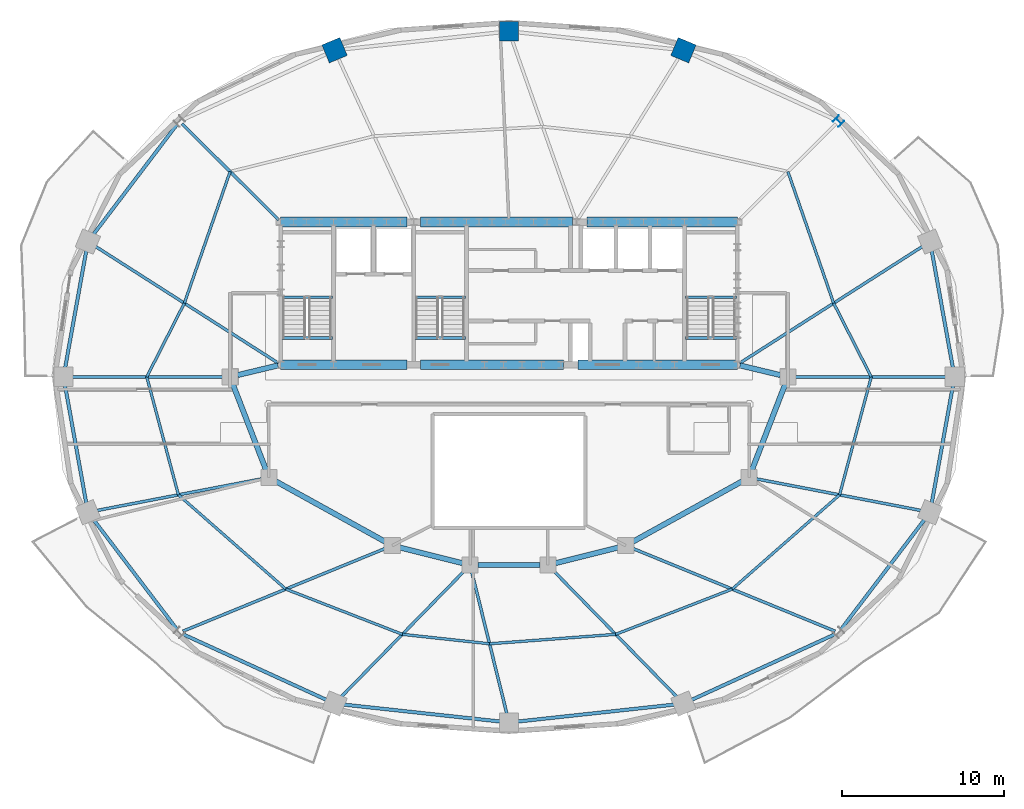
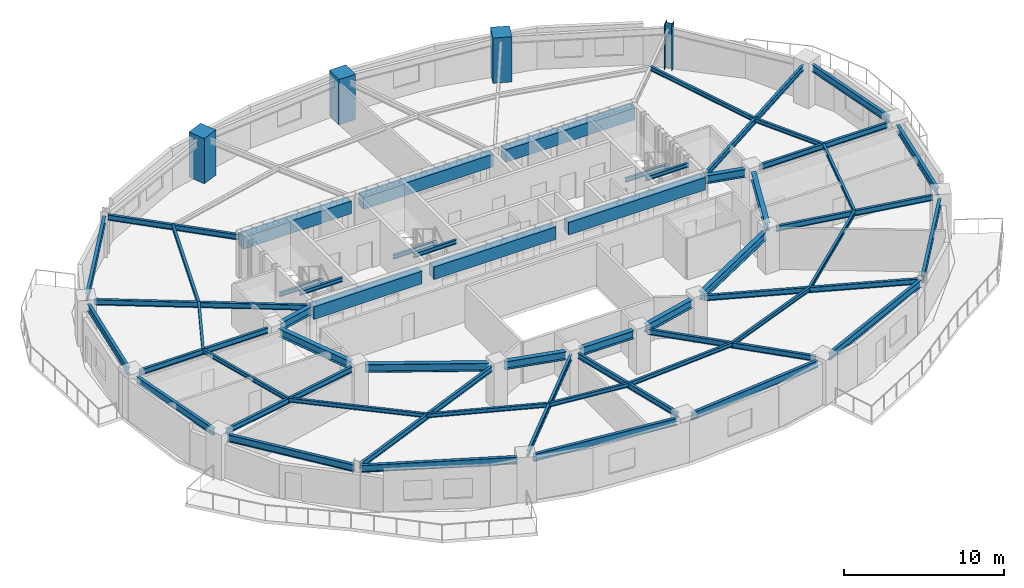
# One storey, part 2 of 11: 56 beams, 4 columns.
"""IFC4 building model written with IfcOpenShell, lengths in metres."""

from ifc_helpers import new_model, si_unit, direction, frame, origin, origin_2d, place, context, subcontext, project, spatial, rectangle, i_section, extrude, material, material_profile, profile_set, type_object, element, save


model = new_model("IFC4")

# Units and contexts
model_context = context("Model", 3, precision=1e-05, world=origin(), true_north=direction((0.0, 1.0)))
body_context = subcontext(model_context, "Body", "Model", "MODEL_VIEW")
ifc_project = project(units=[si_unit("LENGTHUNIT", "METRE"), si_unit("AREAUNIT", "SQUARE_METRE"), si_unit("VOLUMEUNIT", "CUBIC_METRE"), si_unit("PLANEANGLEUNIT", "RADIAN"), si_unit("MASSUNIT", "GRAM", prefix="KILO")], contexts=[model_context])

# Site, building, storey
site_placement = place(None, origin())
site = spatial("IfcSite", under=ifc_project, at=site_placement, CompositionType="ELEMENT")
building_placement = place(site_placement, origin())
building = spatial("IfcBuilding", under=site, at=building_placement, Name="Haldorwick Loom Tower", CompositionType="ELEMENT")
storey_placement = place(building_placement, frame((0.0, 0.0, 218.64990234375)))
storey = spatial("IfcBuildingStorey", under=building, at=storey_placement, Name="L59", CompositionType="ELEMENT", Elevation=218.64990234375)

# Columns
ifc_material_1 = material(Name="Concrete C60 (60 MPa)", Category="concrete")
ifc_material_profile_1 = material_profile(ifc_material_1, rectangle(XDim=1.199951171875, YDim=1.199951171875, at=origin_2d()), Name="RC1200X1200", Category="concrete")
ifc_profile_set_1 = profile_set([ifc_material_profile_1], Name="Concrete C60 (60 MPa)")
column_type_1 = type_object("IfcColumnType", Name="STR-COL-RC1200", PredefinedType="COLUMN", material=ifc_profile_set_1)
for number, where, z_axis, x_axis, name in (
    (1, (46.75341796875, 46.140625, 0.0), (0.0, 0.0, 1.0), (0.382683432365, 0.923879532511, 0.0), "L59 Perimeter Pier Column P04"),
    (2, (36.0, 47.304931640625, 0.0), (0.0, 0.0, 1.0), (0.0, 1.0, 0.0), "L59 Perimeter Pier Column P05"),
    (3, (25.24658203125, 46.140625, 0.0), (0.0, 0.0, 1.0), (-0.382683432365, 0.923879532511, 0.0), "L59 Perimeter Pier Column P06"),
):
    element("IfcColumn", number, at=place(storey_placement, frame(where, z_axis=z_axis, x_axis=x_axis)), inside=storey, type_object=column_type_1, Name=name, PredefinedType="COLUMN", context=body_context, shape_type="SweptSolid", body=[
        extrude(rectangle(XDim=1.199951171875, YDim=1.199951171875, at=origin_2d()), origin(), (0.0, 0.0, 1.0), 3.4501953125),
    ])
ifc_material_2 = material(Name="Steel CSA G40.21 350WT", Category="steel")
ifc_material_profile_2 = material_profile(ifc_material_2, i_section(OverallWidth=0.5, OverallDepth=0.5, WebThickness=0.02197265625, FlangeThickness=0.031982421875, at=origin_2d()), Name="WWF500X500", Category="steel")
ifc_profile_set_2 = profile_set([ifc_material_profile_2], Name="Steel CSA G40.21 350WT")
column_type_2 = type_object("IfcColumnType", Name="STR-COL-WWF500", PredefinedType="COLUMN", material=ifc_profile_set_2)
column_placement = place(storey_placement, frame((56.317626953125, 41.764892578125, 0.0), z_axis=(0.0, 0.0, 1.0), x_axis=(0.707106781187, 0.707106781187, 0.0)))
element("IfcColumn", 4, at=column_placement, inside=storey, type_object=column_type_2, Name="L59 Perimeter Pier Column P03", PredefinedType="COLUMN", context=body_context, shape_type="SweptSolid", body=[
    extrude(i_section(OverallWidth=0.5, OverallDepth=0.5, WebThickness=0.02197265625, FlangeThickness=0.031982421875, at=origin_2d()), origin(), (0.0, 0.0, 1.0), 3.4501953125),
])

# Beams
ifc_material_3 = material(Name="Concrete C50 (50 MPa)", Category="concrete")
ifc_material_profile_3 = material_profile(ifc_material_3, rectangle(XDim=0.60009765625, YDim=0.949951171875, at=origin_2d()), Name="RC600X950", Category="concrete")
ifc_profile_set_3 = profile_set([ifc_material_profile_3], Name="Concrete C50 (50 MPa)")
beam_type_1 = type_object("IfcBeamType", Name="STR-BM-CB950", PredefinedType="LINTEL", material=ifc_profile_set_3)
beam_1_placement = place(storey_placement, frame((21.89990234375, 35.550048828125, 2.675048828125), z_axis=(1.0, 0.0, 0.0), x_axis=(0.0, 1.0, 0.0)))
element("IfcBeam", 5, at=beam_1_placement, inside=storey, type_object=beam_type_1, Name="L59 Core Coupling Beam CB-N1", PredefinedType="LINTEL", context=body_context, shape_type="SweptSolid", body=[
    extrude(rectangle(XDim=0.60009765625, YDim=0.949951171875, at=origin_2d()), origin(), (0.0, 0.0, 1.0), 7.800048828125),
])
beam_2_placement = place(storey_placement, frame((30.550048828125, 35.550048828125, 2.675048828125), z_axis=(1.0, 0.0, 0.0), x_axis=(0.0, 1.0, 0.0)))
element("IfcBeam", 6, at=beam_2_placement, inside=storey, type_object=beam_type_1, Name="L59 Core Coupling Beam CB-N2", PredefinedType="LINTEL", context=body_context, shape_type="SweptSolid", body=[
    extrude(rectangle(XDim=0.60009765625, YDim=0.949951171875, at=origin_2d()), origin(), (0.0, 0.0, 1.0), 9.349853515625),
])
beam_3_placement = place(storey_placement, frame((40.800048828125, 35.550048828125, 2.675048828125), z_axis=(1.0, 0.0, 0.0), x_axis=(0.0, 1.0, 0.0)))
element("IfcBeam", 7, at=beam_3_placement, inside=storey, type_object=beam_type_1, Name="L59 Core Coupling Beam CB-N3", PredefinedType="LINTEL", context=body_context, shape_type="SweptSolid", body=[
    extrude(rectangle(XDim=0.60009765625, YDim=0.949951171875, at=origin_2d()), origin(), (0.0, 0.0, 1.0), 9.300048828125),
])
beam_4_placement = place(storey_placement, frame((21.89990234375, 26.75, 2.675048828125), z_axis=(1.0, 0.0, 0.0), x_axis=(0.0, 1.0, 0.0)))
element("IfcBeam", 8, at=beam_4_placement, inside=storey, type_object=beam_type_1, Name="L59 Core Coupling Beam CB-S1", PredefinedType="LINTEL", context=body_context, shape_type="SweptSolid", body=[
    extrude(rectangle(XDim=0.60009765625, YDim=0.949951171875, at=origin_2d()), origin(), (0.0, 0.0, 1.0), 7.800048828125),
])
beam_5_placement = place(storey_placement, frame((30.550048828125, 26.75, 2.675048828125), z_axis=(1.0, 0.0, 0.0), x_axis=(0.0, 1.0, 0.0)))
element("IfcBeam", 9, at=beam_5_placement, inside=storey, type_object=beam_type_1, Name="L59 Core Coupling Beam CB-S2", PredefinedType="LINTEL", context=body_context, shape_type="SweptSolid", body=[
    extrude(rectangle(XDim=0.60009765625, YDim=0.949951171875, at=origin_2d()), origin(), (0.0, 0.0, 1.0), 8.800048828125),
])
beam_6_placement = place(storey_placement, frame((40.25, 26.75, 2.675048828125), z_axis=(1.0, 0.0, 0.0), x_axis=(0.0, 1.0, 0.0)))
element("IfcBeam", 10, at=beam_6_placement, inside=storey, type_object=beam_type_1, Name="L59 Core Coupling Beam CB-S3", PredefinedType="LINTEL", context=body_context, shape_type="SweptSolid", body=[
    extrude(rectangle(XDim=0.60009765625, YDim=0.949951171875, at=origin_2d()), origin(), (0.0, 0.0, 1.0), 9.85009765625),
])
ifc_material_4 = material(Name="Steel CSA G40.21 350W", Category="steel")
ifc_material_profile_4 = material_profile(ifc_material_4, i_section(OverallWidth=0.166015625, OverallDepth=0.31298828125, WebThickness=0.006591796875, FlangeThickness=0.01123046875, at=origin_2d()), Name="W310X45", Category="steel")
ifc_profile_set_4 = profile_set([ifc_material_profile_4], Name="Steel CSA G40.21 350W")
beam_type_2 = type_object("IfcBeamType", Name="STR-BM-J310", PredefinedType="JOIST", material=ifc_profile_set_4)
beam_7_placement = place(storey_placement, frame((58.333251953125, 26.0, 2.99365234375), z_axis=(-0.454203827517, 0.890897796085, 0.0), x_axis=(-0.890897796085, -0.454203827517, 0.0)))
element("IfcBeam", 11, at=beam_7_placement, inside=storey, type_object=beam_type_2, Name="L59 Mid-Bay Secondary Joist 1", PredefinedType="JOIST", context=body_context, shape_type="SweptSolid", body=[
    extrude(i_section(OverallWidth=0.166015625, OverallDepth=0.31298828125, WebThickness=0.006591796875, FlangeThickness=0.01123046875, at=origin_2d()), origin(), (0.0, 0.0, 1.0), 5.103271484375),
])
for number, where, z_axis, x_axis, name in (
    (12, (56.015380859375, 30.54638671875, 2.99365234375), (-0.328550395803, 0.944486441098, 0.0), (-0.944486441098, -0.328550395803, 0.0), "L59 Mid-Bay Secondary Joist 2"),
    (13, (18.80615234375, 38.657470703125, 2.99365234375), (-0.328550395803, -0.944486441098, 0.0), (0.944486441098, -0.328550395803, 0.0), "L59 Mid-Bay Secondary Joist 7"),
):
    element("IfcBeam", number, at=place(storey_placement, frame(where, z_axis=z_axis, x_axis=x_axis)), inside=storey, type_object=beam_type_2, Name=name, PredefinedType="JOIST", context=body_context, shape_type="SweptSolid", body=[
        extrude(i_section(OverallWidth=0.166015625, OverallDepth=0.31298828125, WebThickness=0.006591796875, FlangeThickness=0.01123046875, at=origin_2d()), origin(), (0.0, 0.0, 1.0), 8.587890625),
    ])
beam_8_placement = place(storey_placement, frame((15.984619140625, 30.54638671875, 2.99365234375), z_axis=(-0.454203827517, -0.890897796085, 0.0), x_axis=(0.890897796085, -0.454203827517, 0.0)))
element("IfcBeam", 14, at=beam_8_placement, inside=storey, type_object=beam_type_2, Name="L59 Mid-Bay Secondary Joist 8", PredefinedType="JOIST", context=body_context, shape_type="SweptSolid", body=[
    extrude(i_section(OverallWidth=0.166015625, OverallDepth=0.31298828125, WebThickness=0.006591796875, FlangeThickness=0.01123046875, at=origin_2d()), origin(), (0.0, 0.0, 1.0), 5.103271484375),
])
beam_9_placement = place(storey_placement, frame((13.666748046875, 26.0, 2.99365234375), z_axis=(0.259353588718, -0.965782437208, 0.0), x_axis=(0.965782437208, 0.259353588718, 0.0)))
element("IfcBeam", 15, at=beam_9_placement, inside=storey, type_object=beam_type_2, Name="L59 Mid-Bay Secondary Joist 9", PredefinedType="JOIST", context=body_context, shape_type="SweptSolid", body=[
    extrude(i_section(OverallWidth=0.166015625, OverallDepth=0.31298828125, WebThickness=0.006591796875, FlangeThickness=0.01123046875, at=origin_2d()), origin(), (0.0, 0.0, 1.0), 7.52880859375),
])
beam_10_placement = place(storey_placement, frame((15.619384765625, 18.728759765625, 2.99365234375), z_axis=(0.751609427289, -0.659608420815, 0.0), x_axis=(0.659608420815, 0.751609427289, 0.0)))
element("IfcBeam", 16, at=beam_10_placement, inside=storey, type_object=beam_type_2, Name="L59 Mid-Bay Secondary Joist 10", PredefinedType="JOIST", context=body_context, shape_type="SweptSolid", body=[
    extrude(i_section(OverallWidth=0.166015625, OverallDepth=0.31298828125, WebThickness=0.006591796875, FlangeThickness=0.01123046875, at=origin_2d()), origin(), (0.0, 0.0, 1.0), 8.810302734375),
])
beam_11_placement = place(storey_placement, frame((22.2412109375, 12.91748046875, 2.99365234375), z_axis=(0.932232852675, -0.36185896202, 0.0), x_axis=(0.36185896202, 0.932232852675, 0.0)))
element("IfcBeam", 17, at=beam_11_placement, inside=storey, type_object=beam_type_2, Name="L59 Mid-Bay Secondary Joist 11", PredefinedType="JOIST", context=body_context, shape_type="SweptSolid", body=[
    extrude(i_section(OverallWidth=0.166015625, OverallDepth=0.31298828125, WebThickness=0.006591796875, FlangeThickness=0.01123046875, at=origin_2d()), origin(), (0.0, 0.0, 1.0), 7.7041015625),
])
beam_12_placement = place(storey_placement, frame((29.42333984375, 10.129638671875, 2.99365234375), z_axis=(0.994191913888, -0.107621737398, 0.0), x_axis=(0.107621737398, 0.994191913888, 0.0)))
element("IfcBeam", 18, at=beam_12_placement, inside=storey, type_object=beam_type_2, Name="L59 Mid-Bay Secondary Joist 12", PredefinedType="JOIST", context=body_context, shape_type="SweptSolid", body=[
    extrude(i_section(OverallWidth=0.166015625, OverallDepth=0.31298828125, WebThickness=0.006591796875, FlangeThickness=0.01123046875, at=origin_2d()), origin(), (0.0, 0.0, 1.0), 5.408203125),
])
beam_13_placement = place(storey_placement, frame((34.800048828125, 9.547607421875, 2.99365234375), z_axis=(0.997210913817, 0.074635067923, 0.0), x_axis=(-0.074635067923, 0.997210913817, 0.0)))
element("IfcBeam", 19, at=beam_13_placement, inside=storey, type_object=beam_type_2, Name="L59 Mid-Bay Secondary Joist 13", PredefinedType="JOIST", context=body_context, shape_type="SweptSolid", body=[
    extrude(i_section(OverallWidth=0.166015625, OverallDepth=0.31298828125, WebThickness=0.006591796875, FlangeThickness=0.01123046875, at=origin_2d()), origin(), (0.0, 0.0, 1.0), 7.79833984375),
])
beam_14_placement = place(storey_placement, frame((42.57666015625, 10.129638671875, 2.99365234375), z_axis=(0.932232852675, 0.36185896202, 0.0), x_axis=(-0.36185896202, 0.932232852675, 0.0)))
element("IfcBeam", 20, at=beam_14_placement, inside=storey, type_object=beam_type_2, Name="L59 Mid-Bay Secondary Joist 14", PredefinedType="JOIST", context=body_context, shape_type="SweptSolid", body=[
    extrude(i_section(OverallWidth=0.166015625, OverallDepth=0.31298828125, WebThickness=0.006591796875, FlangeThickness=0.01123046875, at=origin_2d()), origin(), (0.0, 0.0, 1.0), 7.7041015625),
])
beam_15_placement = place(storey_placement, frame((49.7587890625, 12.91748046875, 2.99365234375), z_axis=(0.751609427289, 0.659608420815, 0.0), x_axis=(-0.659608420815, 0.751609427289, 0.0)))
element("IfcBeam", 21, at=beam_15_placement, inside=storey, type_object=beam_type_2, Name="L59 Mid-Bay Secondary Joist 15", PredefinedType="JOIST", context=body_context, shape_type="SweptSolid", body=[
    extrude(i_section(OverallWidth=0.166015625, OverallDepth=0.31298828125, WebThickness=0.006591796875, FlangeThickness=0.01123046875, at=origin_2d()), origin(), (0.0, 0.0, 1.0), 8.810302734375),
])
beam_16_placement = place(storey_placement, frame((56.380615234375, 18.728759765625, 2.99365234375), z_axis=(0.259353588718, 0.965782437208, 0.0), x_axis=(-0.965782437208, 0.259353588718, 0.0)))
element("IfcBeam", 22, at=beam_16_placement, inside=storey, type_object=beam_type_2, Name="L59 Mid-Bay Secondary Joist 16", PredefinedType="JOIST", context=body_context, shape_type="SweptSolid", body=[
    extrude(i_section(OverallWidth=0.166015625, OverallDepth=0.31298828125, WebThickness=0.006591796875, FlangeThickness=0.01123046875, at=origin_2d()), origin(), (0.0, 0.0, 1.0), 7.52880859375),
])
ifc_material_profile_5 = material_profile(ifc_material_4, i_section(OverallWidth=0.179931640625, OverallDepth=0.4130859375, WebThickness=0.009765625, FlangeThickness=0.01611328125, at=origin_2d()), Name="W410X74", Category="steel")
ifc_profile_set_5 = profile_set([ifc_material_profile_5], Name="Steel CSA G40.21 350W")
beam_type_3 = type_object("IfcBeamType", Name="STR-BM-J410", PredefinedType="JOIST", material=ifc_profile_set_5)
beam_17_placement = place(storey_placement, frame((53.675048828125, 26.0, 2.943603515625), z_axis=(1.0, 0.0, 0.0), x_axis=(0.0, 1.0, 0.0)))
element("IfcBeam", 23, at=beam_17_placement, inside=storey, type_object=beam_type_3, Name="L59 Radial Floor Girder 1", PredefinedType="JOIST", context=body_context, shape_type="SweptSolid", body=[
    extrude(i_section(OverallWidth=0.179931640625, OverallDepth=0.4130859375, WebThickness=0.009765625, FlangeThickness=0.01611328125, at=origin_2d()), origin(), (0.0, 0.0, 1.0), 9.271240234375),
])
beam_18_placement = place(storey_placement, frame((50.219970703125, 26.845703125, 2.943603515625), z_axis=(0.842836647066, 0.538169477361, 0.0), x_axis=(-0.538169477361, 0.842836647066, 0.0)))
element("IfcBeam", 24, at=beam_18_placement, inside=storey, type_object=beam_type_3, Name="L59 Radial Floor Girder 2", PredefinedType="JOIST", context=body_context, shape_type="SweptSolid", body=[
    extrude(i_section(OverallWidth=0.179931640625, OverallDepth=0.4130859375, WebThickness=0.009765625, FlangeThickness=0.01611328125, at=origin_2d()), origin(), (0.0, 0.0, 1.0), 13.410400390625),
])
beam_19_placement = place(storey_placement, frame((21.8037109375, 35.675537109375, 2.943603515625), z_axis=(-0.708962390492, 0.70524628951, 0.0), x_axis=(-0.70524628951, -0.708962390492, 0.0)))
element("IfcBeam", 25, at=beam_19_placement, inside=storey, type_object=beam_type_3, Name="L59 Radial Floor Girder 7", PredefinedType="JOIST", context=body_context, shape_type="SweptSolid", body=[
    extrude(i_section(OverallWidth=0.179931640625, OverallDepth=0.4130859375, WebThickness=0.009765625, FlangeThickness=0.01611328125, at=origin_2d()), origin(), (0.0, 0.0, 1.0), 8.409423828125),
])
beam_20_placement = place(storey_placement, frame((21.780029296875, 26.845703125, 2.943603515625), z_axis=(-0.842836647066, 0.538169477361, 0.0), x_axis=(-0.538169477361, -0.842836647066, 0.0)))
element("IfcBeam", 26, at=beam_20_placement, inside=storey, type_object=beam_type_3, Name="L59 Radial Floor Girder 8", PredefinedType="JOIST", context=body_context, shape_type="SweptSolid", body=[
    extrude(i_section(OverallWidth=0.179931640625, OverallDepth=0.4130859375, WebThickness=0.009765625, FlangeThickness=0.01611328125, at=origin_2d()), origin(), (0.0, 0.0, 1.0), 13.410400390625),
])
beam_21_placement = place(storey_placement, frame((18.324951171875, 26.0, 2.943603515625), z_axis=(-1.0, 0.0, 0.0), x_axis=(0.0, -1.0, 0.0)))
element("IfcBeam", 27, at=beam_21_placement, inside=storey, type_object=beam_type_3, Name="L59 Radial Floor Girder 9", PredefinedType="JOIST", context=body_context, shape_type="SweptSolid", body=[
    extrude(i_section(OverallWidth=0.179931640625, OverallDepth=0.4130859375, WebThickness=0.009765625, FlangeThickness=0.01611328125, at=origin_2d()), origin(), (0.0, 0.0, 1.0), 9.271240234375),
])
beam_22_placement = place(storey_placement, frame((20.7333984375, 19.71044921875, 2.943603515625), z_axis=(-0.982069869785, -0.188517295919, 0.0), x_axis=(0.188517295919, -0.982069869785, 0.0)))
element("IfcBeam", 28, at=beam_22_placement, inside=storey, type_object=beam_type_3, Name="L59 Radial Floor Girder 10", PredefinedType="JOIST", context=body_context, shape_type="SweptSolid", body=[
    extrude(i_section(OverallWidth=0.179931640625, OverallDepth=0.4130859375, WebThickness=0.009765625, FlangeThickness=0.01611328125, at=origin_2d()), origin(), (0.0, 0.0, 1.0), 10.36962890625),
])
beam_23_placement = place(storey_placement, frame((28.3603515625, 15.420166015625, 2.943603515625), z_axis=(-0.925583323606, -0.378543935445, 0.0), x_axis=(0.378543935445, -0.925583323606, 0.0)))
element("IfcBeam", 29, at=beam_23_placement, inside=storey, type_object=beam_type_3, Name="L59 Radial Floor Girder 11", PredefinedType="JOIST", context=body_context, shape_type="SweptSolid", body=[
    extrude(i_section(OverallWidth=0.179931640625, OverallDepth=0.4130859375, WebThickness=0.009765625, FlangeThickness=0.01611328125, at=origin_2d()), origin(), (0.0, 0.0, 1.0), 13.47216796875),
])
beam_24_placement = place(storey_placement, frame((33.267822265625, 14.060302734375, 2.943603515625), z_axis=(-0.699238682239, -0.714888288658, 0.0), x_axis=(0.714888288658, -0.699238682239, 0.0)))
element("IfcBeam", 30, at=beam_24_placement, inside=storey, type_object=beam_type_3, Name="L59 Radial Floor Girder 12", PredefinedType="JOIST", context=body_context, shape_type="SweptSolid", body=[
    extrude(i_section(OverallWidth=0.179931640625, OverallDepth=0.4130859375, WebThickness=0.009765625, FlangeThickness=0.01611328125, at=origin_2d()), origin(), (0.0, 0.0, 1.0), 10.951416015625),
])
beam_25_placement = place(storey_placement, frame((33.714111328125, 13.93896484375, 2.943603515625), z_axis=(0.240059013303, -0.970758296453, 0.0), x_axis=(0.970758296453, 0.240059013303, 0.0)))
element("IfcBeam", 31, at=beam_25_placement, inside=storey, type_object=beam_type_3, Name="L59 Radial Floor Girder 13", PredefinedType="JOIST", context=body_context, shape_type="SweptSolid", body=[
    extrude(i_section(OverallWidth=0.179931640625, OverallDepth=0.4130859375, WebThickness=0.009765625, FlangeThickness=0.01611328125, at=origin_2d()), origin(), (0.0, 0.0, 1.0), 9.00244140625),
])
beam_26_placement = place(storey_placement, frame((38.732177734375, 14.060302734375, 2.943603515625), z_axis=(0.699238682239, -0.714888288658, 0.0), x_axis=(0.714888288658, 0.699238682239, 0.0)))
element("IfcBeam", 32, at=beam_26_placement, inside=storey, type_object=beam_type_3, Name="L59 Radial Floor Girder 14", PredefinedType="JOIST", context=body_context, shape_type="SweptSolid", body=[
    extrude(i_section(OverallWidth=0.179931640625, OverallDepth=0.4130859375, WebThickness=0.009765625, FlangeThickness=0.01611328125, at=origin_2d()), origin(), (0.0, 0.0, 1.0), 10.951416015625),
])
beam_27_placement = place(storey_placement, frame((43.6396484375, 15.420166015625, 2.943603515625), z_axis=(0.925583323606, -0.378543935445, 0.0), x_axis=(0.378543935445, 0.925583323606, 0.0)))
element("IfcBeam", 33, at=beam_27_placement, inside=storey, type_object=beam_type_3, Name="L59 Radial Floor Girder 15", PredefinedType="JOIST", context=body_context, shape_type="SweptSolid", body=[
    extrude(i_section(OverallWidth=0.179931640625, OverallDepth=0.4130859375, WebThickness=0.009765625, FlangeThickness=0.01611328125, at=origin_2d()), origin(), (0.0, 0.0, 1.0), 13.47216796875),
])
beam_28_placement = place(storey_placement, frame((51.2666015625, 19.71044921875, 2.943603515625), z_axis=(0.982069869785, -0.188517295919, 0.0), x_axis=(0.188517295919, 0.982069869785, 0.0)))
element("IfcBeam", 34, at=beam_28_placement, inside=storey, type_object=beam_type_3, Name="L59 Radial Floor Girder 16", PredefinedType="JOIST", context=body_context, shape_type="SweptSolid", body=[
    extrude(i_section(OverallWidth=0.179931640625, OverallDepth=0.4130859375, WebThickness=0.009765625, FlangeThickness=0.01611328125, at=origin_2d()), origin(), (0.0, 0.0, 1.0), 10.36962890625),
])
ifc_material_profile_6 = material_profile(ifc_material_4, i_section(OverallWidth=0.2119140625, OverallDepth=0.5439453125, WebThickness=0.01318359375, FlangeThickness=0.021240234375, at=origin_2d()), Name="W530X123", Category="steel")
ifc_profile_set_6 = profile_set([ifc_material_profile_6], Name="Steel CSA G40.21 350W")
beam_type_4 = type_object("IfcBeamType", Name="STR-BM-SP530", PredefinedType="SPANDREL", material=ifc_profile_set_6)
beam_29_placement = place(storey_placement, frame((63.3740234375, 26.51171875, 2.878173828125), z_axis=(-0.1775911332, 0.984104359003, 0.0), x_axis=(-0.984104359003, -0.1775911332, 0.0)))
element("IfcBeam", 35, at=beam_29_placement, inside=storey, type_object=beam_type_4, Name="L59 Perimeter Spandrel 1", PredefinedType="SPANDREL", context=body_context, shape_type="SweptSolid", body=[
    extrude(i_section(OverallWidth=0.2119140625, OverallDepth=0.5439453125, WebThickness=0.01318359375, FlangeThickness=0.021240234375, at=origin_2d()), origin(), (0.0, 0.0, 1.0), 7.437255859375),
])
beam_30_placement = place(storey_placement, frame((15.546142578125, 41.585693359375, 2.878173828125), z_axis=(-0.605236944797, -0.796045376001, 0.0), x_axis=(0.796045376001, -0.605236944797, 0.0)))
element("IfcBeam", 36, at=beam_30_placement, inside=storey, type_object=beam_type_4, Name="L59 Perimeter Spandrel 7", PredefinedType="SPANDREL", context=body_context, shape_type="SweptSolid", body=[
    extrude(i_section(OverallWidth=0.2119140625, OverallDepth=0.5439453125, WebThickness=0.01318359375, FlangeThickness=0.021240234375, at=origin_2d()), origin(), (0.0, 0.0, 1.0), 8.5791015625),
])
for number, where, z_axis, x_axis, name in (
    (37, (9.94677734375, 33.830810546875, 2.878173828125), (-0.1775911332, -0.984104359003, 0.0), (0.984104359003, -0.1775911332, 0.0), "L59 Perimeter Spandrel 8"),
    (38, (8.6259765625, 25.48828125, 2.878173828125), (0.1775911332, -0.984104359003, 0.0), (0.984104359003, 0.1775911332, 0.0), "L59 Perimeter Spandrel 9"),
):
    element("IfcBeam", number, at=place(storey_placement, frame(where, z_axis=z_axis, x_axis=x_axis)), inside=storey, type_object=beam_type_4, Name=name, PredefinedType="SPANDREL", context=body_context, shape_type="SweptSolid", body=[
        extrude(i_section(OverallWidth=0.2119140625, OverallDepth=0.5439453125, WebThickness=0.01318359375, FlangeThickness=0.021240234375, at=origin_2d()), origin(), (0.0, 0.0, 1.0), 7.437255859375),
    ])
beam_31_placement = place(storey_placement, frame((10.353759765625, 17.24365234375, 2.878173828125), z_axis=(0.605236944797, -0.796045376001, 0.0), x_axis=(0.796045376001, 0.605236944797, 0.0)))
element("IfcBeam", 39, at=beam_31_placement, inside=storey, type_object=beam_type_4, Name="L59 Perimeter Spandrel 10", PredefinedType="SPANDREL", context=body_context, shape_type="SweptSolid", body=[
    extrude(i_section(OverallWidth=0.2119140625, OverallDepth=0.5439453125, WebThickness=0.01318359375, FlangeThickness=0.021240234375, at=origin_2d()), origin(), (0.0, 0.0, 1.0), 8.5791015625),
])
beam_32_placement = place(storey_placement, frame((15.886962890625, 10.1416015625, 2.878173828125), z_axis=(0.909342182232, -0.416049030299, 0.0), x_axis=(0.416049030299, 0.909342182232, 0.0)))
element("IfcBeam", 40, at=beam_32_placement, inside=storey, type_object=beam_type_4, Name="L59 Perimeter Spandrel 11", PredefinedType="SPANDREL", context=body_context, shape_type="SweptSolid", body=[
    extrude(i_section(OverallWidth=0.2119140625, OverallDepth=0.5439453125, WebThickness=0.01318359375, FlangeThickness=0.021240234375, at=origin_2d()), origin(), (0.0, 0.0, 1.0), 9.772705078125),
])
for number, where, z_axis, x_axis, name in (
    (41, (25.763671875, 5.803466796875, 2.878173828125), (0.994187774205, -0.107659972233, 0.0), (0.107659972233, 0.994187774205, 0.0), "L59 Perimeter Spandrel 12"),
    (42, (36.51708984375, 4.7509765625, 2.878173828125), (0.994187774205, 0.107659972233, 0.0), (-0.107659972233, 0.994187774205, 0.0), "L59 Perimeter Spandrel 13"),
):
    element("IfcBeam", number, at=place(storey_placement, frame(where, z_axis=z_axis, x_axis=x_axis)), inside=storey, type_object=beam_type_4, Name=name, PredefinedType="SPANDREL", context=body_context, shape_type="SweptSolid", body=[
        extrude(i_section(OverallWidth=0.2119140625, OverallDepth=0.5439453125, WebThickness=0.01318359375, FlangeThickness=0.021240234375, at=origin_2d()), origin(), (0.0, 0.0, 1.0), 9.776123046875),
    ])
beam_33_placement = place(storey_placement, frame((47.226318359375, 6.07568359375, 2.878173828125), z_axis=(0.909342182232, 0.416049030299, 0.0), x_axis=(-0.416049030299, 0.909342182232, 0.0)))
element("IfcBeam", 43, at=beam_33_placement, inside=storey, type_object=beam_type_4, Name="L59 Perimeter Spandrel 14", PredefinedType="SPANDREL", context=body_context, shape_type="SweptSolid", body=[
    extrude(i_section(OverallWidth=0.2119140625, OverallDepth=0.5439453125, WebThickness=0.01318359375, FlangeThickness=0.021240234375, at=origin_2d()), origin(), (0.0, 0.0, 1.0), 9.772705078125),
])
beam_34_placement = place(storey_placement, frame((56.453857421875, 10.414306640625, 2.878173828125), z_axis=(0.605236944797, 0.796045376001, 0.0), x_axis=(-0.796045376001, 0.605236944797, 0.0)))
element("IfcBeam", 44, at=beam_34_placement, inside=storey, type_object=beam_type_4, Name="L59 Perimeter Spandrel 15", PredefinedType="SPANDREL", context=body_context, shape_type="SweptSolid", body=[
    extrude(i_section(OverallWidth=0.2119140625, OverallDepth=0.5439453125, WebThickness=0.01318359375, FlangeThickness=0.021240234375, at=origin_2d()), origin(), (0.0, 0.0, 1.0), 8.5791015625),
])
beam_35_placement = place(storey_placement, frame((62.05322265625, 18.169189453125, 2.878173828125), z_axis=(0.1775911332, 0.984104359003, 0.0), x_axis=(-0.984104359003, 0.1775911332, 0.0)))
element("IfcBeam", 45, at=beam_35_placement, inside=storey, type_object=beam_type_4, Name="L59 Perimeter Spandrel 16", PredefinedType="SPANDREL", context=body_context, shape_type="SweptSolid", body=[
    extrude(i_section(OverallWidth=0.2119140625, OverallDepth=0.5439453125, WebThickness=0.01318359375, FlangeThickness=0.021240234375, at=origin_2d()), origin(), (0.0, 0.0, 1.0), 7.437255859375),
])
ifc_material_profile_7 = material_profile(ifc_material_4, i_section(OverallWidth=0.166015625, OverallDepth=0.31298828125, WebThickness=0.006591796875, FlangeThickness=0.01123046875, at=origin_2d()), Name="W310X45", Category="steel")
ifc_profile_set_7 = profile_set([ifc_material_profile_7], Name="Steel CSA G40.21 350W")
beam_type_5 = type_object("IfcBeamType", Name="STR-BM-STRM", PredefinedType="BEAM", material=ifc_profile_set_7)
for number, where, z_axis, x_axis, name in (
    (46, (21.989990234375, 28.39990234375, 2.99365234375), (1.0, 0.0, 0.0), (0.0, 1.0, 0.0), "L59 Stair ST-01 Landing Edge Trimmer"),
    (47, (21.989990234375, 30.919921875, 1.36865234375), (1.0, 0.0, 0.0), (0.0, 1.0, 0.0), "L59 Stair ST-01 Half-Landing Trimmer 1"),
    (48, (46.889892578125, 28.39990234375, 2.99365234375), (1.0, 0.0, 0.0), (0.0, 1.0, 0.0), "L59 Stair ST-02 Landing Edge Trimmer"),
    (49, (46.889892578125, 30.919921875, 1.36865234375), (1.0, 0.0, 0.0), (0.0, 1.0, 0.0), "L59 Stair ST-02 Half-Landing Trimmer 1"),
    (50, (30.18994140625, 28.39990234375, 2.99365234375), (1.0, 0.0, 0.0), (0.0, 1.0, 0.0), "L59 Stair ST-03 Landing Edge Trimmer"),
    (51, (30.18994140625, 30.919921875, 1.36865234375), (1.0, 0.0, 0.0), (0.0, 1.0, 0.0), "L59 Stair ST-03 Half-Landing Trimmer 1"),
):
    element("IfcBeam", number, at=place(storey_placement, frame(where, z_axis=z_axis, x_axis=x_axis)), inside=storey, type_object=beam_type_5, Name=name, PredefinedType="BEAM", context=body_context, shape_type="SweptSolid", body=[
        extrude(i_section(OverallWidth=0.166015625, OverallDepth=0.31298828125, WebThickness=0.006591796875, FlangeThickness=0.01123046875, at=origin_2d()), origin(), (0.0, 0.0, 1.0), 3.1201171875),
    ])
ifc_material_profile_8 = material_profile(ifc_material_4, i_section(OverallWidth=0.324951171875, OverallDepth=0.615966796875, WebThickness=0.013916015625, FlangeThickness=0.021484375, at=origin_2d()), Name="W610X174", Category="steel")
ifc_profile_set_8 = profile_set([ifc_material_profile_8], Name="Steel CSA G40.21 350W")
beam_type_6 = type_object("IfcBeamType", Name="STR-BM-W610A", PredefinedType="BEAM", material=ifc_profile_set_8)
beam_36_placement = place(storey_placement, frame((50.2431640625, 26.70849609375, 2.842041015625), z_axis=(0.972464127734, -0.233052612665, 0.0), x_axis=(0.233052612665, 0.972464127734, 0.0)))
element("IfcBeam", 52, at=beam_36_placement, inside=storey, type_object=beam_type_6, Name="L59 Inner Ring Girder 1", PredefinedType="BEAM", context=body_context, shape_type="SweptSolid", body=[
    extrude(i_section(OverallWidth=0.324951171875, OverallDepth=0.615966796875, WebThickness=0.013916015625, FlangeThickness=0.021484375, at=origin_2d()), origin(), (0.0, 0.0, 1.0), 2.5654296875),
])
beam_37_placement = place(storey_placement, frame((53.028564453125, 25.556884765625, 2.842041015625), z_axis=(-0.36101093026, -0.93256158415, 0.0), x_axis=(0.93256158415, -0.36101093026, 0.0)))
element("IfcBeam", 53, at=beam_37_placement, inside=storey, type_object=beam_type_6, Name="L59 Inner Ring Girder 2", PredefinedType="BEAM", context=body_context, shape_type="SweptSolid", body=[
    extrude(i_section(OverallWidth=0.324951171875, OverallDepth=0.615966796875, WebThickness=0.013916015625, FlangeThickness=0.021484375, at=origin_2d()), origin(), (0.0, 0.0, 1.0), 5.6982421875),
])
beam_38_placement = place(storey_placement, frame((50.38427734375, 19.5703125, 2.842041015625), z_axis=(-0.875243645673, -0.483682293152, 0.0), x_axis=(0.483682293152, -0.875243645673, 0.0)))
element("IfcBeam", 54, at=beam_38_placement, inside=storey, type_object=beam_type_6, Name="L59 Inner Ring Girder 3", PredefinedType="BEAM", context=body_context, shape_type="SweptSolid", body=[
    extrude(i_section(OverallWidth=0.324951171875, OverallDepth=0.615966796875, WebThickness=0.013916015625, FlangeThickness=0.021484375, at=origin_2d()), origin(), (0.0, 0.0, 1.0), 7.7333984375),
])
beam_39_placement = place(storey_placement, frame((42.7392578125, 15.48486328125, 2.842041015625), z_axis=(-0.970135315182, -0.242564363081, 0.0), x_axis=(0.242564363081, -0.970135315182, 0.0)))
element("IfcBeam", 55, at=beam_39_placement, inside=storey, type_object=beam_type_6, Name="L59 Inner Ring Girder 4", PredefinedType="BEAM", context=body_context, shape_type="SweptSolid", body=[
    extrude(i_section(OverallWidth=0.324951171875, OverallDepth=0.615966796875, WebThickness=0.013916015625, FlangeThickness=0.021484375, at=origin_2d()), origin(), (0.0, 0.0, 1.0), 3.997802734375),
])
beam_40_placement = place(storey_placement, frame((37.925048828125, 14.39990234375, 2.842041015625), z_axis=(-1.0, 0.0, 0.0), x_axis=(0.0, -1.0, 0.0)))
element("IfcBeam", 56, at=beam_40_placement, inside=storey, type_object=beam_type_6, Name="L59 Inner Ring Girder 5", PredefinedType="BEAM", context=body_context, shape_type="SweptSolid", body=[
    extrude(i_section(OverallWidth=0.324951171875, OverallDepth=0.615966796875, WebThickness=0.013916015625, FlangeThickness=0.021484375, at=origin_2d()), origin(), (0.0, 0.0, 1.0), 3.85009765625),
])
beam_41_placement = place(storey_placement, frame((33.13916015625, 14.51513671875, 2.842041015625), z_axis=(-0.970135315182, 0.242564363081, 0.0), x_axis=(-0.242564363081, -0.970135315182, 0.0)))
element("IfcBeam", 57, at=beam_41_placement, inside=storey, type_object=beam_type_6, Name="L59 Inner Ring Girder 6", PredefinedType="BEAM", context=body_context, shape_type="SweptSolid", body=[
    extrude(i_section(OverallWidth=0.324951171875, OverallDepth=0.615966796875, WebThickness=0.013916015625, FlangeThickness=0.021484375, at=origin_2d()), origin(), (0.0, 0.0, 1.0), 3.997802734375),
])
beam_42_placement = place(storey_placement, frame((28.38427734375, 15.829833984375, 2.842041015625), z_axis=(-0.875243645673, 0.483682293152, 0.0), x_axis=(-0.483682293152, -0.875243645673, 0.0)))
element("IfcBeam", 58, at=beam_42_placement, inside=storey, type_object=beam_type_6, Name="L59 Inner Ring Girder 7", PredefinedType="BEAM", context=body_context, shape_type="SweptSolid", body=[
    extrude(i_section(OverallWidth=0.324951171875, OverallDepth=0.615966796875, WebThickness=0.013916015625, FlangeThickness=0.021484375, at=origin_2d()), origin(), (0.0, 0.0, 1.0), 7.7333984375),
])
beam_43_placement = place(storey_placement, frame((21.028564453125, 20.242919921875, 2.842041015625), z_axis=(-0.36101093026, 0.93256158415, 0.0), x_axis=(-0.93256158415, -0.36101093026, 0.0)))
element("IfcBeam", 59, at=beam_43_placement, inside=storey, type_object=beam_type_6, Name="L59 Inner Ring Girder 8", PredefinedType="BEAM", context=body_context, shape_type="SweptSolid", body=[
    extrude(i_section(OverallWidth=0.324951171875, OverallDepth=0.615966796875, WebThickness=0.013916015625, FlangeThickness=0.021484375, at=origin_2d()), origin(), (0.0, 0.0, 1.0), 5.6982421875),
])
beam_44_placement = place(storey_placement, frame((19.261962890625, 26.110595703125, 2.842041015625), z_axis=(0.972464127734, 0.233052612665, 0.0), x_axis=(-0.233052612665, 0.972464127734, 0.0)))
element("IfcBeam", 60, at=beam_44_placement, inside=storey, type_object=beam_type_6, Name="L59 Inner Ring Girder 9", PredefinedType="BEAM", context=body_context, shape_type="SweptSolid", body=[
    extrude(i_section(OverallWidth=0.324951171875, OverallDepth=0.615966796875, WebThickness=0.013916015625, FlangeThickness=0.021484375, at=origin_2d()), origin(), (0.0, 0.0, 1.0), 2.5654296875),
])

save(model, "model.ifc")
